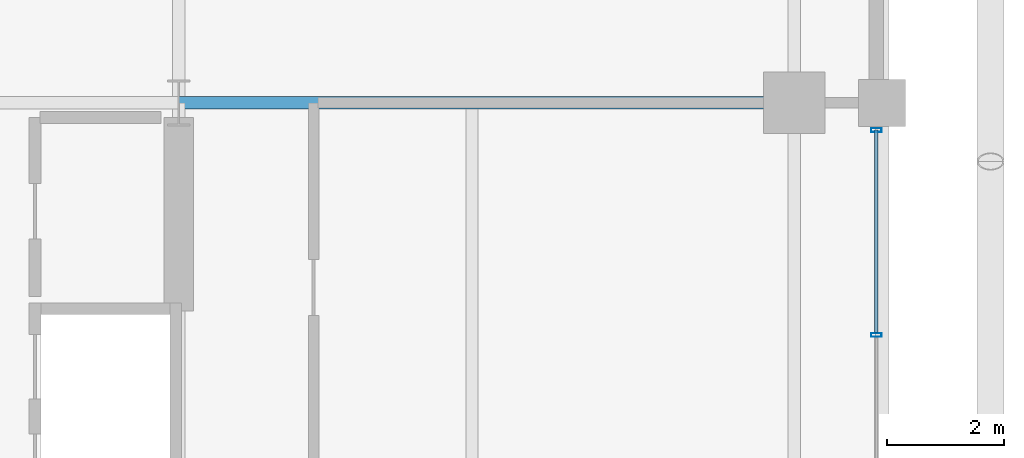
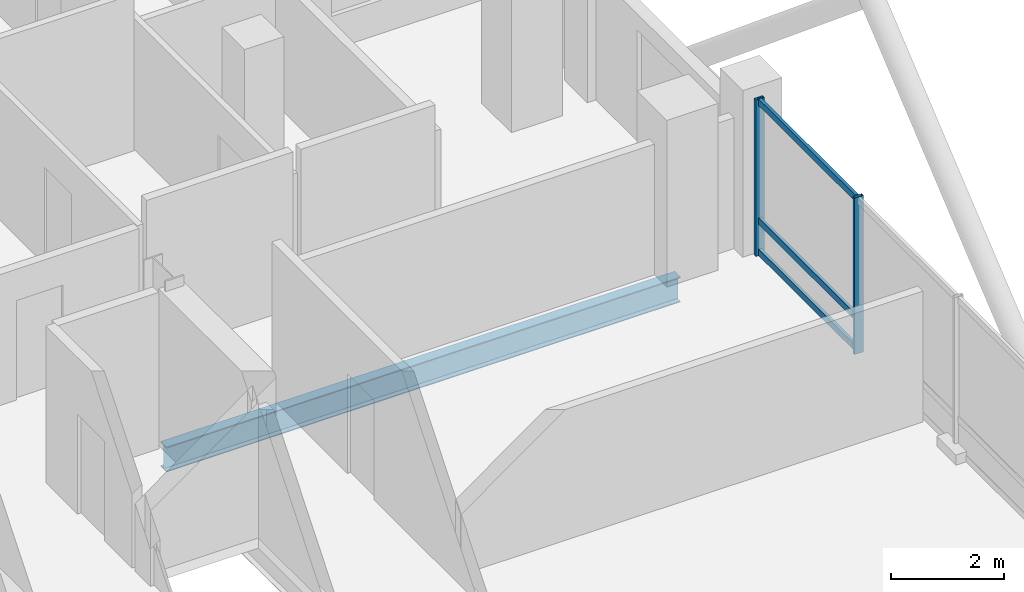
# One storey, part 13 of 26: 5 members, 1 beam, 1 element without a shape of its own.
"""IFC4 building model written with IfcOpenShell, lengths in metres."""

from ifc_helpers import new_model, si_unit, direction, frame, origin, origin_2d, place, context, subcontext, project, spatial, hollow_rectangle, i_section, extrude, material, layer, layer_set, material_profile, profile_set, type_object, element, aggregate, save


model = new_model("IFC4")

# Units and contexts
model_context = context("Model", 3, precision=1e-05, world=origin(), true_north=direction((0.0, 1.0)))
body_context = subcontext(model_context, "Body", "Model", "MODEL_VIEW")
ifc_project = project(units=[si_unit("LENGTHUNIT", "METRE"), si_unit("AREAUNIT", "SQUARE_METRE"), si_unit("VOLUMEUNIT", "CUBIC_METRE"), si_unit("PLANEANGLEUNIT", "RADIAN"), si_unit("MASSUNIT", "GRAM", prefix="KILO")], contexts=[model_context])

# Site, building, storey
site_placement = place(None, origin())
site = spatial("IfcSite", under=ifc_project, at=site_placement, CompositionType="ELEMENT")
building_placement = place(site_placement, origin())
building = spatial("IfcBuilding", under=site, at=building_placement, Name="Barlavira Tower and Art Museum", CompositionType="ELEMENT")
storey_placement = place(building_placement, frame((0.0, 0.0, 198.0)))
storey = spatial("IfcBuildingStorey", under=building, at=storey_placement, Name="L51", CompositionType="ELEMENT", Elevation=198.0)

# Curtain wall, members
ifc_material_1 = material(Name="Low-iron coastal laminated glass", Category="glass")
ifc_layer = layer(ifc_material_1, 0.199951171875, Name="Low-iron coastal laminated glass")
ifc_layer_set = layer_set([ifc_layer], Name="Low-iron coastal laminated glass")
curtain_wall_type = type_object("IfcCurtainWallType", Name="Pale-Metal Unitised Curtain Wall Zone 3", PredefinedType="NOTDEFINED", material=ifc_layer_set)
curtain_wall_placement = place(storey_placement, origin())
curtain_wall = element("IfcCurtainWall", 1, at=curtain_wall_placement, inside=storey, type_object=curtain_wall_type, Name="L51 Curtain Wall CW3-L51-E-B3", PredefinedType="NOTDEFINED")
ifc_material_2 = material(Name="Pale anodised aluminium", Category="aluminium")
ifc_material_profile_1 = material_profile(ifc_material_2, hollow_rectangle(XDim=0.06494140625, YDim=0.179931640625, WallThickness=0.00390625, at=origin_2d()), Name="ALU-MULL 65x180x4")
ifc_profile_set_1 = profile_set([ifc_material_profile_1], Name="Pale anodised aluminium")
member_type_1 = type_object("IfcMemberType", Name="Curtain Wall Pale-Metal Mullion 65x180", PredefinedType="MULLION", material=ifc_profile_set_1)
member_1_placement = place(storey_placement, frame((18.39990234375, 3.5400390625, 0.0), z_axis=(0.0, 0.0, 1.0), x_axis=(0.0, 1.0, 0.0)))
member_1 = element("IfcMember", 2, at=member_1_placement, type_object=member_type_1, Name="CW3-L51-E-B3 Mullion 3", PredefinedType="MULLION", context=body_context, shape_type="SweptSolid", body=[
    extrude(hollow_rectangle(XDim=0.06494140625, YDim=0.179931640625, WallThickness=0.00390625, at=origin_2d()), origin(), (0.0, 0.0, 1.0), 3.3798828125),
])
member_2_placement = place(storey_placement, frame((18.39990234375, 7.034912109375, 0.0), z_axis=(0.0, 0.0, 1.0), x_axis=(0.0, 1.0, 0.0)))
member_2 = element("IfcMember", 3, at=member_2_placement, type_object=member_type_1, Name="CW3-L51-E-B3 Mullion 4", PredefinedType="MULLION", context=body_context, shape_type="SweptSolid", body=[
    extrude(hollow_rectangle(XDim=0.06494140625, YDim=0.179931640625, WallThickness=0.00390625, at=origin_2d()), origin(), (0.0, 0.0, 1.0), 3.3798828125),
])
ifc_material_profile_2 = material_profile(ifc_material_2, hollow_rectangle(XDim=0.06494140625, YDim=0.139892578125, WallThickness=0.00390625, at=origin_2d()), Name="ALU-TRAN 65x140x4")
ifc_profile_set_2 = profile_set([ifc_material_profile_2], Name="Pale anodised aluminium")
member_type_2 = type_object("IfcMemberType", Name="Curtain Wall Pale-Metal Transom 65x140", PredefinedType="USERDEFINED", material=ifc_profile_set_2)
member_3_placement = place(storey_placement, frame((18.39990234375, 3.5849609375, 0.070068359375), z_axis=(0.0, 1.0, 0.0), x_axis=(-1.0, 0.0, 0.0)))
member_3 = element("IfcMember", 4, at=member_3_placement, type_object=member_type_2, Name="CW3-L51-E-B3 Transom 3.1", ObjectType="TRANSOM", PredefinedType="USERDEFINED", context=body_context, shape_type="SweptSolid", body=[
    extrude(hollow_rectangle(XDim=0.06494140625, YDim=0.139892578125, WallThickness=0.00390625, at=origin_2d()), origin(), (0.0, 0.0, 1.0), 3.449951171875),
])
member_4_placement = place(storey_placement, frame((18.39990234375, 3.5849609375, 0.743896484375), z_axis=(0.0, 1.0, 0.0), x_axis=(-1.0, 0.0, 0.0)))
member_4 = element("IfcMember", 5, at=member_4_placement, type_object=member_type_2, Name="CW3-L51-E-B3 Transom 3.2", ObjectType="TRANSOM", PredefinedType="USERDEFINED", context=body_context, shape_type="SweptSolid", body=[
    extrude(hollow_rectangle(XDim=0.06494140625, YDim=0.139892578125, WallThickness=0.00390625, at=origin_2d()), origin(), (0.0, 0.0, 1.0), 3.449951171875),
])
member_5_placement = place(storey_placement, frame((18.39990234375, 3.5849609375, 3.31005859375), z_axis=(0.0, 1.0, 0.0), x_axis=(-1.0, 0.0, 0.0)))
member_5 = element("IfcMember", 6, at=member_5_placement, type_object=member_type_2, Name="CW3-L51-E-B3 Transom 3.3", ObjectType="TRANSOM", PredefinedType="USERDEFINED", context=body_context, shape_type="SweptSolid", body=[
    extrude(hollow_rectangle(XDim=0.06494140625, YDim=0.139892578125, WallThickness=0.00390625, at=origin_2d()), origin(), (0.0, 0.0, 1.0), 3.449951171875),
])
aggregate(curtain_wall, [member_1, member_2, member_3, member_4, member_5])

# Beam
ifc_material_3 = material(Name="Steel S355", Category="steel")
ifc_material_profile_3 = material_profile(ifc_material_3, i_section(OverallWidth=0.2109375, OverallDepth=0.5390625, WebThickness=0.01171875, FlangeThickness=0.018798828125, at=origin_2d()), Name="W530x109.0")
ifc_profile_set_3 = profile_set([ifc_material_profile_3], Name="Steel S355")
beam_type = type_object("IfcBeamType", Name="Zone 3-4 Primary Floor Girder W530x109 Steel S355", PredefinedType="BEAM", material=ifc_profile_set_3)
beam_placement = place(storey_placement, frame((6.5, 7.5, -0.489501953125), z_axis=(1.0, 0.0, 0.0), x_axis=(0.0, 1.0, 0.0)))
element("IfcBeam", 7, at=beam_placement, inside=storey, type_object=beam_type, Name="L51 Girder R-E2", PredefinedType="BEAM", context=body_context, shape_type="SweptSolid", body=[
    extrude(i_section(OverallWidth=0.2109375, OverallDepth=0.5390625, WebThickness=0.01171875, FlangeThickness=0.018798828125, at=origin_2d()), origin(), (0.0, 0.0, 1.0), 10.5),
])

save(model, "model.ifc")
